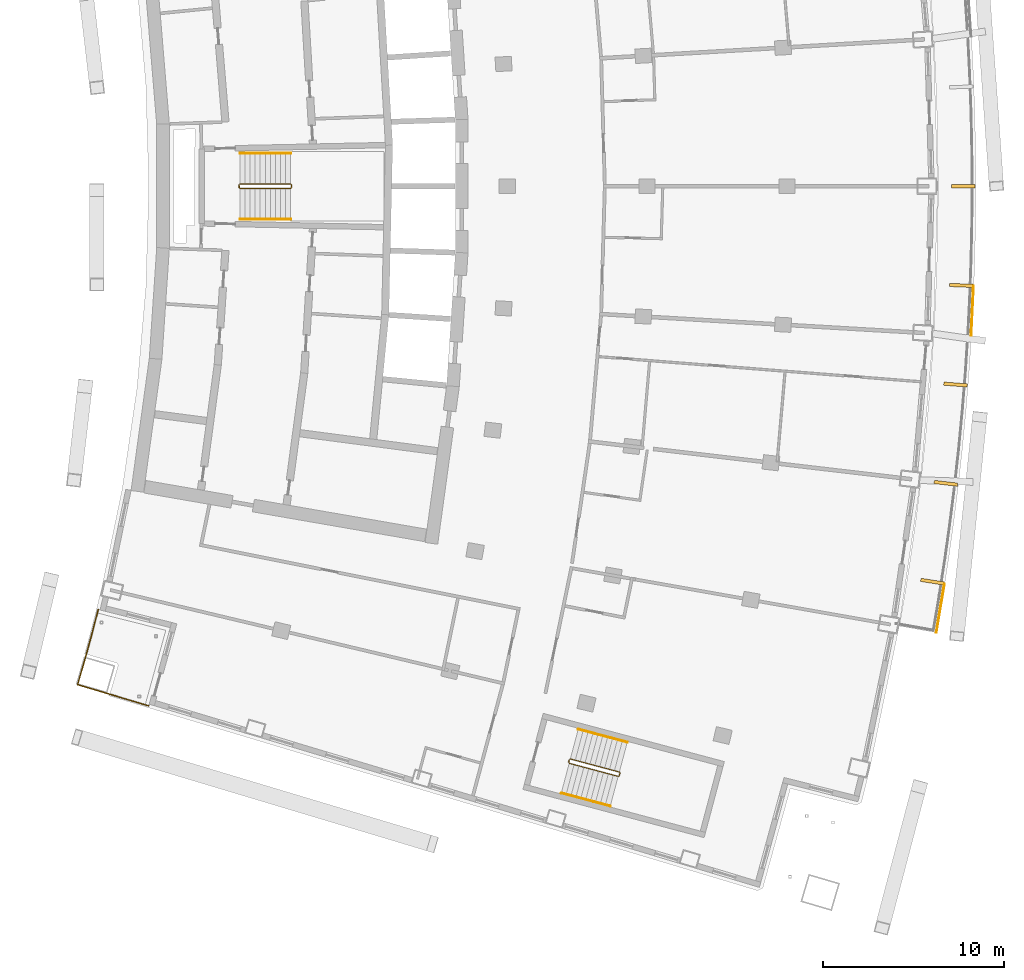
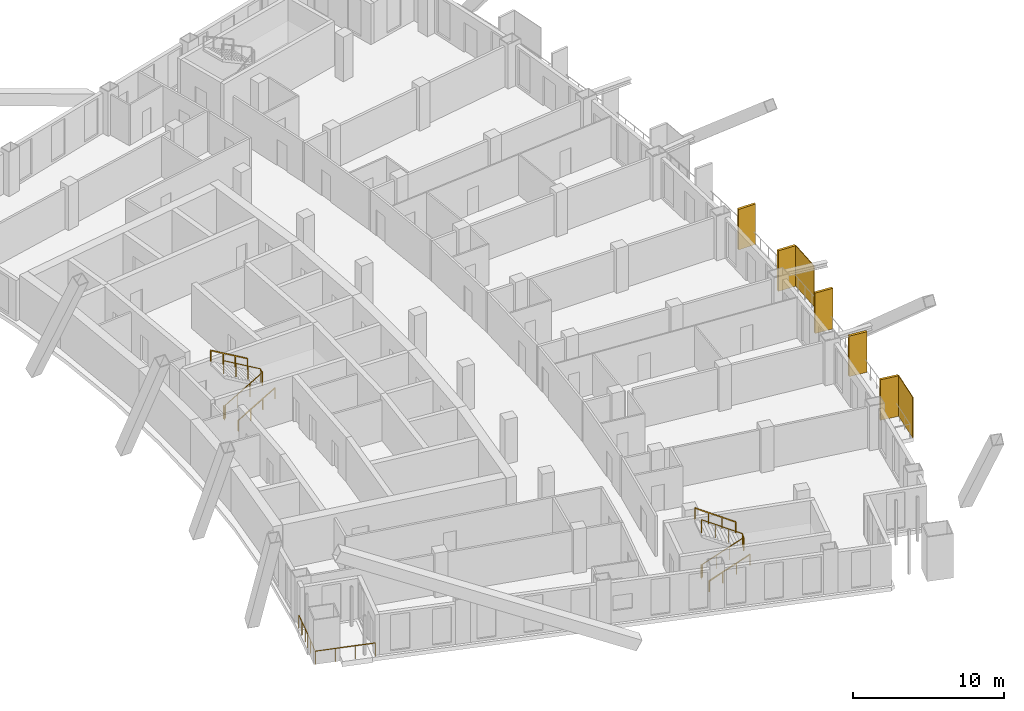
# One storey, part 17 of 19: 7 railings, 7 shading devices.
"""IFC4 building model written with IfcOpenShell, lengths in metres."""

from ifc_helpers import new_model, si_unit, direction, frame, origin, origin_with_axes, origin_2d, place, context, subcontext, project, spatial, rectangle, extrude, material, layer, layer_set, type_object, element, save


model = new_model("IFC4")

# Units and contexts
model_context = context("Model", 3, precision=1e-05, world=origin(), true_north=direction((0.0, 1.0)))
body_context = subcontext(model_context, "Body", "Model", "MODEL_VIEW")
ifc_project = project(units=[si_unit("LENGTHUNIT", "METRE"), si_unit("AREAUNIT", "SQUARE_METRE"), si_unit("VOLUMEUNIT", "CUBIC_METRE"), si_unit("PLANEANGLEUNIT", "RADIAN"), si_unit("MASSUNIT", "GRAM", prefix="KILO")], contexts=[model_context])

# Site, building, storey
site_placement = place(None, origin())
site = spatial("IfcSite", under=ifc_project, at=site_placement, CompositionType="ELEMENT")
building_placement = place(site_placement, origin())
building = spatial("IfcBuilding", under=site, at=building_placement, Name="Alderwake Tower", CompositionType="ELEMENT")
storey_placement = place(building_placement, frame((0.0, 0.0, 171.199951171875)))
storey = spatial("IfcBuildingStorey", under=building, at=storey_placement, Name="L42", CompositionType="ELEMENT", Elevation=171.199951171875)

# Railing
ifc_material_1 = material(Name="Stainless steel 316 rail and posts", Category="steel")
railing_type_1 = type_object("IfcRailingType", Name="Balcony guard 1100", PredefinedType="GUARDRAIL", material=ifc_material_1)
railing_1_placement = place(storey_placement, frame((13.210693359375, 37.612548828125, 0.0)))
element("IfcRailing", 1, at=railing_1_placement, inside=storey, type_object=railing_type_1, Name="Guard terrace RS", PredefinedType="GUARDRAIL", context=body_context, shape_type="SweptSolid", body=[
    extrude(rectangle(XDim=0.048095703125, YDim=0.048095703125, at=origin_2d()), frame((0.0, 0.0, 1.076171875), z_axis=(-0.251385381433, -0.967887075026, 0.0), x_axis=(0.967887075026, -0.251385381433, 0.0)), (0.0, 0.0, 1.0), 1.6015625),
    extrude(rectangle(XDim=0.048095703125, YDim=0.048095703125, at=origin_2d()), frame((-0.402587890625, -1.550048828125, 1.076171875), z_axis=(-0.266520638672, -0.963829211615, 0.0), x_axis=(0.963829211615, -0.266520638672, 0.0)), (0.0, 0.0, 1.0), 1.401611328125),
    extrude(rectangle(XDim=0.048095703125, YDim=0.048095703125, at=origin_2d()), frame((-0.776123046875, -2.90087890625, 1.076171875), z_axis=(-0.280093650878, -0.959972680204, 0.0), x_axis=(0.959972680204, -0.280093650878, 0.0)), (0.0, 0.0, 1.0), 1.30126953125),
    extrude(rectangle(XDim=0.048095703125, YDim=0.048095703125, at=origin_2d()), frame((-1.140625, -4.150146484375, 1.076171875), z_axis=(0.958066871889, -0.286544706789, 0.0), x_axis=(0.286544706789, 0.958066871889, 0.0)), (0.0, 0.0, 1.0), 4.099853515625),
    extrude(rectangle(XDim=0.0419921875, YDim=0.0419921875, at=origin_2d()), frame((0.0, 0.0, 0.0), z_axis=(0.0, 0.0, 1.0), x_axis=(-0.251385381433, -0.967887075026, 0.0)), (0.0, 0.0, 1.0), 1.052001953125),
    extrude(rectangle(XDim=0.0419921875, YDim=0.0419921875, at=origin_2d()), frame((-0.201171875, -0.77490234375, 0.0), z_axis=(0.0, 0.0, 1.0), x_axis=(-0.251385381433, -0.967887075026, 0.0)), (0.0, 0.0, 1.0), 1.052001953125),
    extrude(rectangle(XDim=0.0419921875, YDim=0.0419921875, at=origin_2d()), frame((-0.402587890625, -1.550048828125, 0.0), z_axis=(0.0, 0.0, 1.0), x_axis=(-0.266520638672, -0.963829211615, 0.0)), (0.0, 0.0, 1.0), 1.052001953125),
    extrude(rectangle(XDim=0.0419921875, YDim=0.0419921875, at=origin_2d()), frame((-0.58935546875, -2.2255859375, 0.0), z_axis=(0.0, 0.0, 1.0), x_axis=(-0.266520638672, -0.963829211615, 0.0)), (0.0, 0.0, 1.0), 1.052001953125),
    extrude(rectangle(XDim=0.0419921875, YDim=0.0419921875, at=origin_2d()), frame((-0.776123046875, -2.90087890625, 0.0), z_axis=(0.0, 0.0, 1.0), x_axis=(-0.280093650878, -0.959972680204, 0.0)), (0.0, 0.0, 1.0), 1.052001953125),
    extrude(rectangle(XDim=0.0419921875, YDim=0.0419921875, at=origin_2d()), frame((-1.140625, -4.150146484375, 0.0), z_axis=(0.0, 0.0, 1.0), x_axis=(0.958066871889, -0.286544706789, 0.0)), (0.0, 0.0, 1.0), 1.052001953125),
    extrude(rectangle(XDim=0.0419921875, YDim=0.0419921875, at=origin_2d()), frame((0.168701171875, -4.541748046875, 0.0), z_axis=(0.0, 0.0, 1.0), x_axis=(0.958066871889, -0.286544706789, 0.0)), (0.0, 0.0, 1.0), 1.052001953125),
    extrude(rectangle(XDim=0.0419921875, YDim=0.0419921875, at=origin_2d()), frame((1.47802734375, -4.933349609375, 0.0), z_axis=(0.0, 0.0, 1.0), x_axis=(0.958066871889, -0.286544706789, 0.0)), (0.0, 0.0, 1.0), 1.052001953125),
    extrude(rectangle(XDim=0.0419921875, YDim=0.0419921875, at=origin_2d()), frame((2.787353515625, -5.324951171875, 0.0), z_axis=(0.0, 0.0, 1.0), x_axis=(0.958066871889, -0.286544706789, 0.0)), (0.0, 0.0, 1.0), 1.052001953125),
])

# Shading devices
ifc_material_2 = material(Name="Bronze anodised aluminium", Category="aluminium")
ifc_layer_1 = layer(ifc_material_2, 0.179931640625)
ifc_layer_set_1 = layer_set([ifc_layer_1], Name="Facade fin 1300")
shading_device_type_1 = type_object("IfcShadingDeviceType", Name="Facade fin 1300", PredefinedType="USERDEFINED", material=ifc_layer_set_1)
for number, where, z_axis, x_axis, name in (
    (2, (59.29638671875, 39.148681640625, 0.0), (0.0, 0.0, 1.0), (0.987918787879, -0.154972476771, 0.0), "Fin"),
    (3, (60.041015625, 44.58251953125, 0.0), (0.0, 0.0, 1.0), (0.993198315083, -0.116434990084, 0.0), "Fin"),
    (4, (60.573486328125, 50.041259765625, 0.0), (0.0, 0.0, 1.0), (0.996975122026, -0.077721335943, 0.0), "Fin"),
    (5, (60.893310546875, 55.5166015625, 0.0), (0.0, 0.0, 1.0), (0.999243494356, -0.038890088543, 0.0), "Fin"),
    (6, (61.0, 61.0, 0.0), (0.0, 0.0, 1.0), (1.0, 0.0, 0.0), "Fin"),
):
    element("IfcShadingDevice", number, at=place(storey_placement, frame(where, z_axis=z_axis, x_axis=x_axis)), inside=storey, type_object=shading_device_type_1, Name=name, ObjectType="FIN", PredefinedType="USERDEFINED", context=body_context, shape_type="SweptSolid", body=[
        extrude(rectangle(XDim=1.300048828125, YDim=0.179931640625, at=origin_2d()), origin(), (0.0, 0.0, 1.0), 3.280029296875),
    ])
ifc_material_3 = material(Name="Perforated bronze anodised aluminium", Category="aluminium")
ifc_layer_2 = layer(ifc_material_3, 0.050048828125)
ifc_layer_set_2 = layer_set([ifc_layer_2], Name="Perforated screen panel")
shading_device_type_2 = type_object("IfcShadingDeviceType", Name="Perforated screen panel", PredefinedType="USERDEFINED", material=ifc_layer_set_2)
for number, where, z_axis, x_axis, name in (
    (7, (59.7373046875, 37.688720703125, 0.0), (0.0, 0.0, 1.0), (0.986369013299, -0.164548380739, 0.0), "Screen panel"),
    (8, (61.501220703125, 54.11767578125, 0.0), (0.0, 0.0, 1.0), (0.998819231138, -0.048581308217, 0.0), "Screen panel"),
):
    element("IfcShadingDevice", number, at=place(storey_placement, frame(where, z_axis=z_axis, x_axis=x_axis)), inside=storey, type_object=shading_device_type_2, Name=name, ObjectType="SCREEN", PredefinedType="USERDEFINED", context=body_context, shape_type="SweptSolid", body=[
        extrude(rectangle(XDim=0.050048828125, YDim=2.74853515625, at=origin_2d()), origin(), (0.0, 0.0, 1.0), 3.280029296875),
    ])

# Railings
ifc_material_4 = material(Name="Stainless steel guard", Category="steel")
railing_type_2 = type_object("IfcRailingType", Name="Stair guard 1100", PredefinedType="GUARDRAIL", material=ifc_material_4)
railing_2_placement = place(storey_placement, frame((20.989990234375, 60.925048828125, 0.0)))
element("IfcRailing", 9, at=railing_2_placement, inside=storey, type_object=railing_type_2, Name="L42 ST-B stair guard 1", PredefinedType="GUARDRAIL", context=body_context, shape_type="SweptSolid", body=[
    extrude(rectangle(XDim=0.048095703125, YDim=0.048095703125, at=origin_2d()), frame((0.0, 0.0, 1.076171875), z_axis=(0.0, 1.0, 0.0), x_axis=(-1.0, 0.0, 0.0)), (0.0, 0.0, 1.0), 0.14990234375),
    extrude(rectangle(XDim=0.048095703125, YDim=0.048095703125, at=origin_2d()), frame((0.0, 0.14990234375, 1.076171875), z_axis=(0.190199549216, -0.759870394187, 0.621627795), x_axis=(0.970072785993, 0.242814311512, 0.0)), (0.0, 0.0, 1.0), 0.26318359375),
    extrude(rectangle(XDim=0.048095703125, YDim=0.048095703125, at=origin_2d()), frame((0.050048828125, -0.050048828125, 1.23974609375), z_axis=(0.863360870873, 0.0, 0.504586966384), x_axis=(0.0, 1.0, 0.0)), (0.0, 0.0, 1.0), 3.2431640625),
    extrude(rectangle(XDim=0.048095703125, YDim=0.048095703125, at=origin_2d()), frame((2.85009765625, -0.050048828125, 2.8759765625), z_axis=(0.705375805398, 0.708833529934, 0.0), x_axis=(-0.708833529934, 0.705375805398, 0.0)), (0.0, 0.0, 1.0), 0.070556640625),
    extrude(rectangle(XDim=0.048095703125, YDim=0.048095703125, at=origin_2d()), frame((2.89990234375, 0.0, 2.8759765625), z_axis=(0.0, 1.0, 0.0), x_axis=(-1.0, 0.0, 0.0)), (0.0, 0.0, 1.0), 0.14990234375),
    extrude(rectangle(XDim=0.048095703125, YDim=0.048095703125, at=origin_2d()), frame((2.89990234375, 0.14990234375, 2.8759765625), z_axis=(-0.279546231943, 0.280916556609, 0.91811752648), x_axis=(-0.708833529934, -0.705375805398, 0.0)), (0.0, 0.0, 1.0), 0.17822265625),
    extrude(rectangle(XDim=0.048095703125, YDim=0.048095703125, at=origin_2d()), frame((2.85009765625, 0.199951171875, 3.03955078125), z_axis=(-0.863360870873, 0.0, 0.504586966384), x_axis=(0.0, -1.0, 0.0)), (0.0, 0.0, 1.0), 3.2431640625),
    extrude(rectangle(XDim=0.0419921875, YDim=0.0419921875, at=origin_2d()), frame((0.0, 0.0, 0.0), z_axis=(0.0, 0.0, 1.0), x_axis=(0.0, 1.0, 0.0)), (0.0, 0.0, 1.0), 1.052001953125),
    extrude(rectangle(XDim=0.0419921875, YDim=0.0419921875, at=origin_2d()), frame((0.0, 0.14990234375, 0.0), z_axis=(0.0, 0.0, 1.0), x_axis=(0.242814311512, -0.970072785993, 0.0)), (0.0, 0.0, 1.0), 1.052001953125),
    extrude(rectangle(XDim=0.0419921875, YDim=0.0419921875, at=origin_2d()), frame((0.050048828125, -0.050048828125, 0.16357421875), z_axis=(0.0, 0.0, 1.0), x_axis=(1.0, 0.0, 0.0)), (0.0, 0.0, 1.0), 1.052001953125),
    extrude(rectangle(XDim=0.0419921875, YDim=0.0419921875, at=origin_2d()), frame((0.9833984375, -0.050048828125, 0.708984375), z_axis=(0.0, 0.0, 1.0), x_axis=(1.0, 0.0, 0.0)), (0.0, 0.0, 1.0), 1.052001953125),
    extrude(rectangle(XDim=0.0419921875, YDim=0.0419921875, at=origin_2d()), frame((1.916748046875, -0.050048828125, 1.254638671875), z_axis=(0.0, 0.0, 1.0), x_axis=(1.0, 0.0, 0.0)), (0.0, 0.0, 1.0), 1.052001953125),
    extrude(rectangle(XDim=0.0419921875, YDim=0.0419921875, at=origin_2d()), frame((2.85009765625, -0.050048828125, 1.800048828125), z_axis=(0.0, 0.0, 1.0), x_axis=(0.705375805398, 0.708833529934, 0.0)), (0.0, 0.0, 1.0), 1.052001953125),
    extrude(rectangle(XDim=0.0419921875, YDim=0.0419921875, at=origin_2d()), frame((2.89990234375, 0.0, 1.800048828125), z_axis=(0.0, 0.0, 1.0), x_axis=(0.0, 1.0, 0.0)), (0.0, 0.0, 1.0), 1.052001953125),
    extrude(rectangle(XDim=0.0419921875, YDim=0.0419921875, at=origin_2d()), frame((2.89990234375, 0.14990234375, 1.800048828125), z_axis=(0.0, 0.0, 1.0), x_axis=(-0.705375805398, 0.708833529934, 0.0)), (0.0, 0.0, 1.0), 1.052001953125),
    extrude(rectangle(XDim=0.0419921875, YDim=0.0419921875, at=origin_2d()), frame((2.85009765625, 0.199951171875, 1.963623046875), z_axis=(0.0, 0.0, 1.0), x_axis=(-1.0, 0.0, 0.0)), (0.0, 0.0, 1.0), 1.052001953125),
    extrude(rectangle(XDim=0.0419921875, YDim=0.0419921875, at=origin_2d()), frame((1.916748046875, 0.199951171875, 2.509033203125), z_axis=(0.0, 0.0, 1.0), x_axis=(-1.0, 0.0, 0.0)), (0.0, 0.0, 1.0), 1.052001953125),
    extrude(rectangle(XDim=0.0419921875, YDim=0.0419921875, at=origin_2d()), frame((0.9833984375, 0.199951171875, 3.0546875), z_axis=(0.0, 0.0, 1.0), x_axis=(-1.0, 0.0, 0.0)), (0.0, 0.0, 1.0), 1.052001953125),
    extrude(rectangle(XDim=0.0419921875, YDim=0.0419921875, at=origin_2d()), frame((0.050048828125, 0.199951171875, 3.60009765625), z_axis=(0.0, 0.0, 1.0), x_axis=(-1.0, 0.0, 0.0)), (0.0, 0.0, 1.0), 1.052001953125),
])
railing_3_placement = place(storey_placement, frame((39.1943359375, 29.17431640625, 0.0)))
element("IfcRailing", 10, at=railing_3_placement, inside=storey, type_object=railing_type_2, Name="L42 ST-C stair guard 1", PredefinedType="GUARDRAIL", context=body_context, shape_type="SweptSolid", body=[
    extrude(rectangle(XDim=0.048095703125, YDim=0.048095703125, at=origin_2d()), frame((0.0, 0.0, 1.076171875), z_axis=(0.257459803502, 0.966289009345, 0.0), x_axis=(-0.966289009345, 0.257459803502, 0.0)), (0.0, 0.0, 1.0), 0.14990234375),
    extrude(rectangle(XDim=0.048095703125, YDim=0.048095703125, at=origin_2d()), frame((0.03857421875, 0.144775390625, 1.076171875), z_axis=(-0.012062893862, -0.783160186125, 0.621702991355), x_axis=(0.999881397308, -0.015401016783, 0.0)), (0.0, 0.0, 1.0), 0.26318359375),
    extrude(rectangle(XDim=0.048095703125, YDim=0.048095703125, at=origin_2d()), frame((0.035400390625, -0.061279296875, 1.23974609375), z_axis=(0.834281824786, -0.222214197128, 0.504573768072), x_axis=(0.257380452725, 0.966310148221, 0.0)), (0.0, 0.0, 1.0), 3.2431640625),
    extrude(rectangle(XDim=0.048095703125, YDim=0.048095703125, at=origin_2d()), frame((2.7412109375, -0.781982421875, 2.8759765625), z_axis=(0.865031189262, 0.501718089772, 0.0), x_axis=(-0.501718089772, 0.865031189262, 0.0)), (0.0, 0.0, 1.0), 0.070556640625),
    extrude(rectangle(XDim=0.048095703125, YDim=0.048095703125, at=origin_2d()), frame((2.80224609375, -0.74658203125, 2.8759765625), z_axis=(0.257055032184, 0.966396766566, 0.0), x_axis=(-0.966396766566, 0.257055032184, 0.0)), (0.0, 0.0, 1.0), 0.150146484375),
    extrude(rectangle(XDim=0.048095703125, YDim=0.048095703125, at=origin_2d()), frame((2.8408203125, -0.6015625, 2.8759765625), z_axis=(-0.198625291617, 0.343827228937, 0.91778583023), x_axis=(-0.865898279276, -0.500220121494, 0.0)), (0.0, 0.0, 1.0), 0.17822265625),
    extrude(rectangle(XDim=0.048095703125, YDim=0.048095703125, at=origin_2d()), frame((2.805419921875, -0.540283203125, 3.03955078125), z_axis=(-0.834258940753, 0.22222815314, 0.504605457487), x_axis=(-0.257402139082, -0.966304371715, 0.0)), (0.0, 0.0, 1.0), 3.2431640625),
    extrude(rectangle(XDim=0.0419921875, YDim=0.0419921875, at=origin_2d()), frame((0.0, 0.0, 0.0), z_axis=(0.0, 0.0, 1.0), x_axis=(0.257459803502, 0.966289009345, 0.0)), (0.0, 0.0, 1.0), 1.052001953125),
    extrude(rectangle(XDim=0.0419921875, YDim=0.0419921875, at=origin_2d()), frame((0.03857421875, 0.144775390625, 0.0), z_axis=(0.0, 0.0, 1.0), x_axis=(-0.015401016783, -0.999881397308, 0.0)), (0.0, 0.0, 1.0), 1.052001953125),
    extrude(rectangle(XDim=0.0419921875, YDim=0.0419921875, at=origin_2d()), frame((0.035400390625, -0.061279296875, 0.16357421875), z_axis=(0.0, 0.0, 1.0), x_axis=(0.966310148221, -0.257380452725, 0.0)), (0.0, 0.0, 1.0), 1.052001953125),
    extrude(rectangle(XDim=0.0419921875, YDim=0.0419921875, at=origin_2d()), frame((0.937255859375, -0.301513671875, 0.708984375), z_axis=(0.0, 0.0, 1.0), x_axis=(0.966310148221, -0.257380452725, 0.0)), (0.0, 0.0, 1.0), 1.052001953125),
    extrude(rectangle(XDim=0.0419921875, YDim=0.0419921875, at=origin_2d()), frame((1.83935546875, -0.541748046875, 1.254638671875), z_axis=(0.0, 0.0, 1.0), x_axis=(0.966310148221, -0.257380452725, 0.0)), (0.0, 0.0, 1.0), 1.052001953125),
    extrude(rectangle(XDim=0.0419921875, YDim=0.0419921875, at=origin_2d()), frame((2.7412109375, -0.781982421875, 1.800048828125), z_axis=(0.0, 0.0, 1.0), x_axis=(0.865031189262, 0.501718089772, 0.0)), (0.0, 0.0, 1.0), 1.052001953125),
    extrude(rectangle(XDim=0.0419921875, YDim=0.0419921875, at=origin_2d()), frame((2.80224609375, -0.74658203125, 1.800048828125), z_axis=(0.0, 0.0, 1.0), x_axis=(0.257055032184, 0.966396766566, 0.0)), (0.0, 0.0, 1.0), 1.052001953125),
    extrude(rectangle(XDim=0.0419921875, YDim=0.0419921875, at=origin_2d()), frame((2.8408203125, -0.6015625, 1.800048828125), z_axis=(0.0, 0.0, 1.0), x_axis=(-0.500220121494, 0.865898279276, 0.0)), (0.0, 0.0, 1.0), 1.052001953125),
    extrude(rectangle(XDim=0.0419921875, YDim=0.0419921875, at=origin_2d()), frame((2.805419921875, -0.540283203125, 1.963623046875), z_axis=(0.0, 0.0, 1.0), x_axis=(-0.966304371715, 0.257402139082, 0.0)), (0.0, 0.0, 1.0), 1.052001953125),
    extrude(rectangle(XDim=0.0419921875, YDim=0.0419921875, at=origin_2d()), frame((1.903564453125, -0.300048828125, 2.509033203125), z_axis=(0.0, 0.0, 1.0), x_axis=(-0.966304371715, 0.257402139082, 0.0)), (0.0, 0.0, 1.0), 1.052001953125),
    extrude(rectangle(XDim=0.0419921875, YDim=0.0419921875, at=origin_2d()), frame((1.001708984375, -0.059814453125, 3.0546875), z_axis=(0.0, 0.0, 1.0), x_axis=(-0.966304371715, 0.257402139082, 0.0)), (0.0, 0.0, 1.0), 1.052001953125),
    extrude(rectangle(XDim=0.0419921875, YDim=0.0419921875, at=origin_2d()), frame((0.099853515625, 0.180419921875, 3.60009765625), z_axis=(0.0, 0.0, 1.0), x_axis=(-0.966304371715, 0.257402139082, 0.0)), (0.0, 0.0, 1.0), 1.052001953125),
])
ifc_material_5 = material(Name="Stainless steel handrail", Category="steel")
railing_type_3 = type_object("IfcRailingType", Name="Stair handrail 900", PredefinedType="HANDRAIL", material=ifc_material_5)
railing_4_placement = place(storey_placement, frame((21.0400390625, 59.175048828125, 0.16357421875)))
element("IfcRailing", 11, at=railing_4_placement, inside=storey, type_object=railing_type_3, Name="L42 ST-B stair handrail 1", PredefinedType="HANDRAIL", context=body_context, shape_type="SweptSolid", body=[
    extrude(rectangle(XDim=0.048095703125, YDim=0.048095703125, at=origin_2d()), frame((0.0, 0.0, 0.8759765625), z_axis=(0.863360870873, 0.0, 0.504586966384), x_axis=(0.0, 1.0, 0.0)), (0.0, 0.0, 1.0), 3.2431640625),
    extrude(rectangle(XDim=0.0419921875, YDim=0.0419921875, at=origin_2d()), origin_with_axes(), (0.0, 0.0, 1.0), 0.851806640625),
    extrude(rectangle(XDim=0.0419921875, YDim=0.0419921875, at=origin_2d()), frame((0.933349609375, 0.0, 0.54541015625), z_axis=(0.0, 0.0, 1.0), x_axis=(1.0, 0.0, 0.0)), (0.0, 0.0, 1.0), 0.851806640625),
    extrude(rectangle(XDim=0.0419921875, YDim=0.0419921875, at=origin_2d()), frame((1.86669921875, 0.0, 1.091064453125), z_axis=(0.0, 0.0, 1.0), x_axis=(1.0, 0.0, 0.0)), (0.0, 0.0, 1.0), 0.851806640625),
    extrude(rectangle(XDim=0.0419921875, YDim=0.0419921875, at=origin_2d()), frame((2.800048828125, 0.0, 1.636474609375), z_axis=(0.0, 0.0, 1.0), x_axis=(1.0, 0.0, 0.0)), (0.0, 0.0, 1.0), 0.851806640625),
])
railing_5_placement = place(storey_placement, frame((23.840087890625, 62.824951171875, 1.963623046875)))
element("IfcRailing", 12, at=railing_5_placement, inside=storey, type_object=railing_type_3, Name="L42 ST-B stair handrail 2", PredefinedType="HANDRAIL", context=body_context, shape_type="SweptSolid", body=[
    extrude(rectangle(XDim=0.048095703125, YDim=0.048095703125, at=origin_2d()), frame((0.0, 0.0, 0.8759765625), z_axis=(-0.863360870873, 0.0, 0.504586966384), x_axis=(0.0, -1.0, 0.0)), (0.0, 0.0, 1.0), 3.2431640625),
    extrude(rectangle(XDim=0.0419921875, YDim=0.0419921875, at=origin_2d()), frame((0.0, 0.0, 0.0), z_axis=(0.0, 0.0, 1.0), x_axis=(-1.0, 0.0, 0.0)), (0.0, 0.0, 1.0), 0.851806640625),
    extrude(rectangle(XDim=0.0419921875, YDim=0.0419921875, at=origin_2d()), frame((-0.933349609375, 0.0, 0.54541015625), z_axis=(0.0, 0.0, 1.0), x_axis=(-1.0, 0.0, 0.0)), (0.0, 0.0, 1.0), 0.851806640625),
    extrude(rectangle(XDim=0.0419921875, YDim=0.0419921875, at=origin_2d()), frame((-1.86669921875, 0.0, 1.091064453125), z_axis=(0.0, 0.0, 1.0), x_axis=(-1.0, 0.0, 0.0)), (0.0, 0.0, 1.0), 0.851806640625),
    extrude(rectangle(XDim=0.0419921875, YDim=0.0419921875, at=origin_2d()), frame((-2.800048828125, 0.0, 1.636474609375), z_axis=(0.0, 0.0, 1.0), x_axis=(-1.0, 0.0, 0.0)), (0.0, 0.0, 1.0), 0.851806640625),
])
railing_6_placement = place(storey_placement, frame((38.792236328125, 27.47021484375, 0.16357421875)))
element("IfcRailing", 13, at=railing_6_placement, inside=storey, type_object=railing_type_3, Name="L42 ST-C stair handrail 1", PredefinedType="HANDRAIL", context=body_context, shape_type="SweptSolid", body=[
    extrude(rectangle(XDim=0.048095703125, YDim=0.048095703125, at=origin_2d()), frame((0.0, 0.0, 0.8759765625), z_axis=(0.834272895437, -0.222156588561, 0.504613898043), x_axis=(0.25732071773, 0.966326056891, 0.0)), (0.0, 0.0, 1.0), 3.242919921875),
    extrude(rectangle(XDim=0.0419921875, YDim=0.0419921875, at=origin_2d()), frame((0.0, 0.0, 0.0), z_axis=(0.0, 0.0, 1.0), x_axis=(0.966326056891, -0.25732071773, 0.0)), (0.0, 0.0, 1.0), 0.851806640625),
    extrude(rectangle(XDim=0.0419921875, YDim=0.0419921875, at=origin_2d()), frame((0.90185546875, -0.240234375, 0.54541015625), z_axis=(0.0, 0.0, 1.0), x_axis=(0.966326056891, -0.25732071773, 0.0)), (0.0, 0.0, 1.0), 0.851806640625),
    extrude(rectangle(XDim=0.0419921875, YDim=0.0419921875, at=origin_2d()), frame((1.8037109375, -0.480224609375, 1.091064453125), z_axis=(0.0, 0.0, 1.0), x_axis=(0.966326056891, -0.25732071773, 0.0)), (0.0, 0.0, 1.0), 0.851806640625),
    extrude(rectangle(XDim=0.0419921875, YDim=0.0419921875, at=origin_2d()), frame((2.70556640625, -0.720458984375, 1.636474609375), z_axis=(0.0, 0.0, 1.0), x_axis=(0.966326056891, -0.25732071773, 0.0)), (0.0, 0.0, 1.0), 0.851806640625),
])
railing_7_placement = place(storey_placement, frame((42.437255859375, 30.276611328125, 1.963623046875)))
element("IfcRailing", 14, at=railing_7_placement, inside=storey, type_object=railing_type_3, Name="L42 ST-C stair handrail 2", PredefinedType="HANDRAIL", context=body_context, shape_type="SweptSolid", body=[
    extrude(rectangle(XDim=0.048095703125, YDim=0.048095703125, at=origin_2d()), frame((0.0, 0.0, 0.8759765625), z_axis=(-0.834258940753, 0.22222815314, 0.504605457487), x_axis=(-0.257402139082, -0.966304371715, 0.0)), (0.0, 0.0, 1.0), 3.2431640625),
    extrude(rectangle(XDim=0.0419921875, YDim=0.0419921875, at=origin_2d()), frame((0.0, 0.0, 0.0), z_axis=(0.0, 0.0, 1.0), x_axis=(-0.966304371715, 0.257402139082, 0.0)), (0.0, 0.0, 1.0), 0.851806640625),
    extrude(rectangle(XDim=0.0419921875, YDim=0.0419921875, at=origin_2d()), frame((-0.90185546875, 0.240234375, 0.54541015625), z_axis=(0.0, 0.0, 1.0), x_axis=(-0.966304371715, 0.257402139082, 0.0)), (0.0, 0.0, 1.0), 0.851806640625),
    extrude(rectangle(XDim=0.0419921875, YDim=0.0419921875, at=origin_2d()), frame((-1.8037109375, 0.48046875, 1.091064453125), z_axis=(0.0, 0.0, 1.0), x_axis=(-0.966304371715, 0.257402139082, 0.0)), (0.0, 0.0, 1.0), 0.851806640625),
    extrude(rectangle(XDim=0.0419921875, YDim=0.0419921875, at=origin_2d()), frame((-2.70556640625, 0.720703125, 1.636474609375), z_axis=(0.0, 0.0, 1.0), x_axis=(-0.966304371715, 0.257402139082, 0.0)), (0.0, 0.0, 1.0), 0.851806640625),
])

save(model, "model.ifc")
